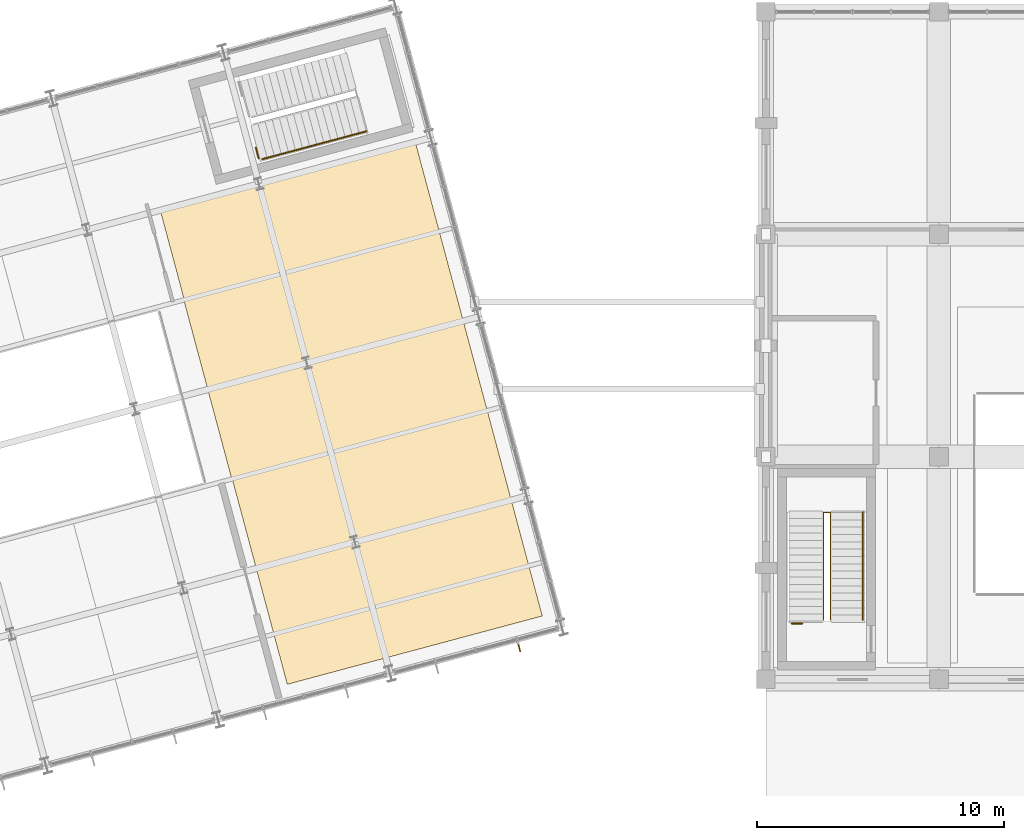
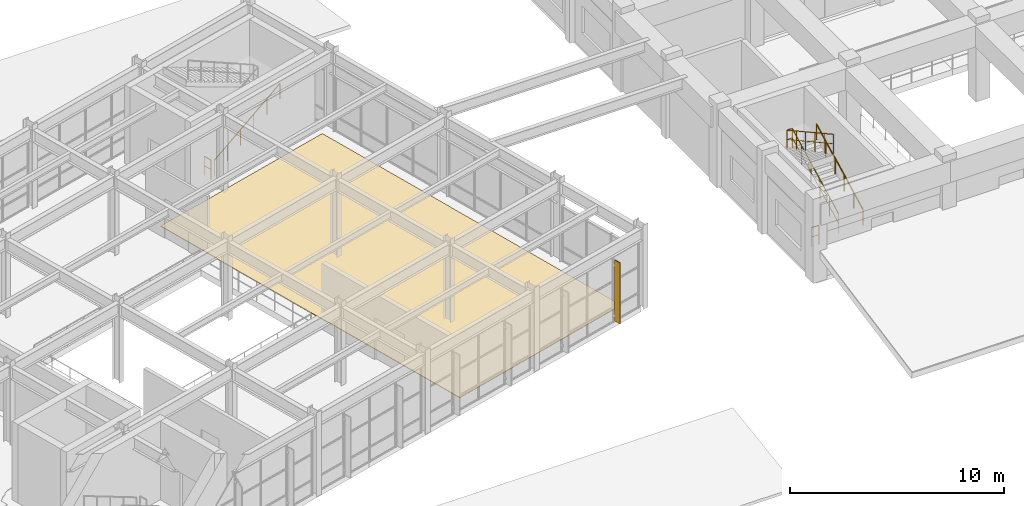
# One storey, part 100 of 104: 5 railings, 1 covering, 1 shading device.
"""IFC4 building model written with IfcOpenShell, lengths in metres."""

import ifcopenshell
import ifcopenshell.guid

model = None  # the IFC model being written
_history = None  # IfcOwnerHistory: only IFC2X3 demands one
_inside = {}  # id of a spatial element -> (the spatial element, [elements in it])
_under = {}  # id of a project, library or spatial element -> (it, [spatial elements below it])
_declared = {}  # id of a project -> (the project, [libraries it declares])
_typed = {}  # id of a type object -> (the type object, [elements of that type])
_made_of = {}  # id of a material, layer set ... -> (it, [elements and type objects made of it])


def new_model(schema):
    """Start an empty IFC model of exactly this schema.

    Asked for "IFC4X3", IfcOpenShell would pick the latest addendum, in which some entities
    have other attributes; the version numbers below select the first issue.
    IFC2X3 requires an IfcOwnerHistory on every rooted entity: one is made here for all.
    """
    global model, _history
    if schema == "IFC4X3":
        model = ifcopenshell.file(schema_version=(4, 3, 0, 0))
    else:
        model = ifcopenshell.file(schema=schema)
    _inside.clear()
    _under.clear()
    _declared.clear()
    _typed.clear()
    _made_of.clear()
    _history = None
    if model.schema == "IFC2X3":
        org = make("IfcOrganization", Name="unknown")
        user = make(
            "IfcPersonAndOrganization",
            ThePerson=make("IfcPerson", FamilyName="unknown"),
            TheOrganization=org,
        )
        app = make(
            "IfcApplication",
            ApplicationDeveloper=org,
            Version="unknown",
            ApplicationFullName="unknown",
            ApplicationIdentifier="unknown",
        )
        _history = make(
            "IfcOwnerHistory",
            OwningUser=user,
            OwningApplication=app,
            ChangeAction="ADDED",
            CreationDate=0,
        )
    return model


def make(cls, **values):
    """One entity of the class cls with the attributes given. An attribute that is None is left unset."""
    return model.create_entity(
        cls, **{name: value for name, value in values.items() if value is not None}
    )


def rooted(cls, **values):
    """An entity with a GlobalId (a new one), such as an element, a storey or a relation."""
    return make(cls, GlobalId=ifcopenshell.guid.new(), OwnerHistory=_history, **values)


def si_unit(unit_type, name, prefix=None):
    """IfcSIUnit, for example si_unit("LENGTHUNIT", "METRE", prefix="MILLI")."""
    return make("IfcSIUnit", UnitType=unit_type, Prefix=prefix, Name=name)


def assignment(units):
    """IfcUnitAssignment: the units of a project."""
    return None if units is None else make("IfcUnitAssignment", Units=units)


def point(xyz):
    """IfcCartesianPoint."""
    return None if xyz is None else make("IfcCartesianPoint", Coordinates=xyz)


def direction(xyz):
    """IfcDirection."""
    return None if xyz is None else make("IfcDirection", DirectionRatios=xyz)


def frame(location, z_axis=None, x_axis=None):
    """IfcAxis2Placement3D, a coordinate frame: its origin and axes. An axis left out is left unset."""
    return make(
        "IfcAxis2Placement3D",
        Location=point(location),
        Axis=direction(z_axis),
        RefDirection=direction(x_axis),
    )


def frame_2d(location, x_axis=None):
    """IfcAxis2Placement2D, a coordinate frame in the plane: its origin and x axis."""
    return make(
        "IfcAxis2Placement2D", Location=point(location), RefDirection=direction(x_axis)
    )


def origin():
    """The frame at (0, 0, 0) with its axes left unset."""
    return frame((0.0, 0.0, 0.0))


def origin_2d():
    """The frame at (0, 0) in the plane with its x axis left unset."""
    return frame_2d((0.0, 0.0))


def place(relative_to, where):
    """IfcLocalPlacement: puts the frame where relative to a parent placement (None: the world)."""
    return make(
        "IfcLocalPlacement", PlacementRelTo=relative_to, RelativePlacement=where
    )


def context(
    kind, dimensions, precision=None, world=None, true_north=None, identifier=None
):
    """IfcGeometricRepresentationContext, for example the 3D "Model" context."""
    return make(
        "IfcGeometricRepresentationContext",
        ContextIdentifier=identifier,
        ContextType=kind,
        CoordinateSpaceDimension=dimensions,
        Precision=precision,
        WorldCoordinateSystem=world,
        TrueNorth=true_north,
    )


def subcontext(parent, identifier, kind, view, scale=None):
    """IfcGeometricRepresentationSubContext, for example "Body" below "Model"."""
    return make(
        "IfcGeometricRepresentationSubContext",
        ContextIdentifier=identifier,
        ContextType=kind,
        ParentContext=parent,
        TargetScale=scale,
        TargetView=view,
    )


def project(units=None, contexts=None):
    """IfcProject with its units and contexts."""
    return rooted(
        "IfcProject",
        Name="project",
        RepresentationContexts=contexts,
        UnitsInContext=assignment(units),
    )


def spatial(cls, under=None, at=None, **own):
    """A site, building, storey or space (cls), placed at a placement, below another one or the project."""
    s = rooted(cls, ObjectPlacement=at, **own)
    if under is not None:
        _under.setdefault(under.id(), (under, []))[1].append(s)
    return s


def polyline(points):
    """IfcPolyline through the points."""
    return make("IfcPolyline", Points=[point(p) for p in points])


def profile(cls, at=None, kind="AREA", **sizes):
    """A parametric profile (cls). Its sizes go by their IFC names, for example OverallWidth=200.0."""
    return make(cls, ProfileType=kind, Position=at, **sizes)


def rectangle(**sizes):
    """IfcRectangleProfileDef."""
    return profile("IfcRectangleProfileDef", **sizes)


def circle(**sizes):
    """IfcCircleProfileDef."""
    return profile("IfcCircleProfileDef", **sizes)


def outline(outer, holes=None, kind="AREA"):
    """IfcArbitraryClosedProfileDef: a profile drawn as a closed curve; with holes, ...WithVoids."""
    if holes is None:
        return make("IfcArbitraryClosedProfileDef", ProfileType=kind, OuterCurve=outer)
    return make(
        "IfcArbitraryProfileDefWithVoids",
        ProfileType=kind,
        OuterCurve=outer,
        InnerCurves=holes,
    )


def extrude(swept, where, along, depth):
    """IfcExtrudedAreaSolid: the profile swept, set in the frame where, extruded along a direction by depth."""
    return make(
        "IfcExtrudedAreaSolid",
        SweptArea=swept,
        Position=where,
        ExtrudedDirection=direction(along),
        Depth=depth,
    )


def shape(context_of_items, identifier, shape_type, items):
    """IfcShapeRepresentation: the items that make up one representation, for example the "Body"."""
    return make(
        "IfcShapeRepresentation",
        ContextOfItems=context_of_items,
        RepresentationIdentifier=identifier,
        RepresentationType=shape_type,
        Items=items,
    )


def material(Name=None, Category=None):
    """IfcMaterial."""
    return make("IfcMaterial", Name=Name, Category=Category)


def layer(
    of_material, thickness, ventilated=None, Name=None, Category=None, Priority=None
):
    """IfcMaterialLayer: one layer of a wall or slab, of a material (None: an air gap)."""
    return make(
        "IfcMaterialLayer",
        Material=of_material,
        LayerThickness=thickness,
        IsVentilated=ventilated,
        Name=Name,
        Category=Category,
        Priority=Priority,
    )


def layer_set(layers, Name=None):
    """IfcMaterialLayerSet."""
    return make("IfcMaterialLayerSet", MaterialLayers=layers, LayerSetName=Name)


def made_of(thing, what):
    """Note that an element or type object is made of a material, layer set ...; save() writes the relation."""
    if what is not None:
        _made_of.setdefault(what.id(), (what, []))[1].append(thing)
    return thing


def type_object(cls, material=None, **own):
    """A type object (cls), such as IfcWallType, which elements share."""
    return made_of(rooted(cls, **own), material)


def element(
    cls,
    number,
    at=None,
    inside=None,
    cuts=None,
    type_object=None,
    material=None,
    context=None,
    identifier="Body",
    shape_type=None,
    held_by="IfcProductDefinitionShape",
    body=None,
    shapes=None,
    **own,
):
    """One element of the class cls, such as IfcWall. Its Tag is "e" and its number.

    at: its placement. inside: the storey or other place that contains it. cuts: it is an
    opening in that element (IfcRelVoidsElement). A single representation is given by context,
    identifier, shape_type and body (its items); several are given by shapes. held_by: the class
    of the entity that holds the representations. save() writes the other relations.
    """
    e = rooted(cls, Tag="e%d" % number, ObjectPlacement=at, **own)
    if body is not None:
        shapes = [shape(context, identifier, shape_type, body)]
    if shapes is not None:
        e.Representation = make(held_by, Representations=shapes)
    if inside is not None:
        _inside.setdefault(inside.id(), (inside, []))[1].append(e)
    if cuts is not None:
        rooted(
            "IfcRelVoidsElement", RelatingBuildingElement=cuts, RelatedOpeningElement=e
        )
    if type_object is not None:
        _typed.setdefault(type_object.id(), (type_object, []))[1].append(e)
    return made_of(e, material)


def aggregate(whole, parts):
    """IfcRelAggregates: a whole, such as a stair, and the parts it consists of."""
    return rooted("IfcRelAggregates", RelatingObject=whole, RelatedObjects=parts)


def save(model, path):
    """Write the relations noted so far, then the file.

    IfcRelAggregates (storeys below a building ...), IfcRelContainedInSpatialStructure (elements
    in a storey), IfcRelDefinesByType, IfcRelAssociatesMaterial and IfcRelDeclares: one each for
    every whole, place, type object, material and project.
    """
    for whole, parts in _under.values():
        aggregate(whole, parts)
    for where, things in _inside.values():
        rooted(
            "IfcRelContainedInSpatialStructure",
            RelatedElements=things,
            RelatingStructure=where,
        )
    for kind, things in _typed.values():
        rooted("IfcRelDefinesByType", RelatedObjects=things, RelatingType=kind)
    for what, things in _made_of.values():
        rooted("IfcRelAssociatesMaterial", RelatedObjects=things, RelatingMaterial=what)
    for by, libraries in _declared.values():
        rooted("IfcRelDeclares", RelatingContext=by, RelatedDefinitions=libraries)
    model.write(path)


model = new_model("IFC4")

# Units and contexts
model_context = context("Model", 3, precision=1e-05, world=origin(), true_north=direction((0.0, 1.0)))
body_context = subcontext(model_context, "Body", "Model", "MODEL_VIEW")
ifc_project = project(units=[si_unit("LENGTHUNIT", "METRE"), si_unit("AREAUNIT", "SQUARE_METRE"), si_unit("VOLUMEUNIT", "CUBIC_METRE"), si_unit("PLANEANGLEUNIT", "RADIAN"), si_unit("MASSUNIT", "GRAM", prefix="KILO")], contexts=[model_context])

# Site, building, storey
site_placement = place(None, origin())
site = spatial("IfcSite", under=ifc_project, at=site_placement, CompositionType="ELEMENT")
building_placement = place(site_placement, origin())
building = spatial("IfcBuilding", under=site, at=building_placement, Name="Ventoquebrada Cableway Terminal", CompositionType="ELEMENT")
storey_placement = place(building_placement, frame((0.0, 0.0, 4.800048828125)))
storey = spatial("IfcBuildingStorey", under=building, at=storey_placement, Name="L01", CompositionType="ELEMENT", Elevation=4.800048828125)

# Covering
ifc_material_1 = material(Name="Honed volcanic basalt stone flooring", Category="masonry")
ifc_layer = layer(ifc_material_1, 0.034912109375)
ifc_layer_set = layer_set([ifc_layer], Name="Honed volcanic basalt stone flooring")
covering_type = type_object("IfcCoveringType", Name="COV-FL01", PredefinedType="FLOORING", material=ifc_layer_set)
covering_placement = place(storey_placement, origin())
element("IfcCovering", 1, at=covering_placement, inside=storey, type_object=covering_type, Name="Honed basalt floor finish FL-10", PredefinedType="FLOORING", context=body_context, shape_type="SweptSolid", body=[
    extrude(outline(polyline([(71.48193359375, 92.31005859375), (71.47509765625, 92.259033203125), (73.3720703125, 85.180908203125), (73.403076171875, 85.138916015625), (75.638916015625, 76.797119140625), (85.955078125, 79.56103515625), (80.8359375, 98.66796875), (72.7919921875, 96.511962890625), (72.739013671875, 96.51708984375), (70.513916015625, 95.922119140625), (71.48193359375, 92.31005859375)])), origin(), (0.0, 0.0, 1.0), 0.034912109375),
])

# Railings
ifc_material_2 = material(Name="Brushed stainless steel Grade 316", Category="steel")
railing_type_1 = type_object("IfcRailingType", Name="RL-GD01", PredefinedType="GUARDRAIL", material=ifc_material_2)
railing_1_placement = place(storey_placement, frame((97.610107421875, 79.39990234375, 0.14990234375)))
element("IfcRailing", 2, at=railing_1_placement, inside=storey, type_object=railing_type_1, Name="Stair well guardrail GR-S35", PredefinedType="GUARDRAIL", context=body_context, shape_type="SweptSolid", body=[
    extrude(circle(Radius=0.02392578125, at=origin_2d()), frame((0.0, 0.001708984375, 1.096923828125), z_axis=(0.0, 0.888221851817, 0.459414782038), x_axis=(-1.0, 0.0, 0.0)), (0.0, 0.0, 1.0), 4.8935546875),
    extrude(circle(Radius=0.01611328125, at=origin_2d()), frame((0.0, 0.001708984375, 0.56103515625), z_axis=(0.0, 0.888221851817, 0.459414782038), x_axis=(-1.0, 0.0, 0.0)), (0.0, 0.0, 1.0), 4.8935546875),
    extrude(circle(Radius=0.02392578125, at=origin_2d()), frame((-0.001953125, 4.35009765625, 3.34619140625), z_axis=(-1.0, 0.0, 0.0), x_axis=(0.0, -1.0, 0.0)), (0.0, 0.0, 1.0), 0.276123046875),
    extrude(circle(Radius=0.01611328125, at=origin_2d()), frame((-0.001953125, 4.35009765625, 2.81005859375), z_axis=(-1.0, 0.0, 0.0), x_axis=(0.0, -1.0, 0.0)), (0.0, 0.0, 1.0), 0.276123046875),
    extrude(circle(Radius=0.02392578125, at=origin_2d()), frame((-0.280029296875, 4.348388671875, 3.346923828125), z_axis=(0.0, -0.875569800069, 0.483091632309), x_axis=(1.0, 0.0, 0.0)), (0.0, 0.0, 1.0), 4.96435546875),
    extrude(circle(Radius=0.01611328125, at=origin_2d()), frame((-0.280029296875, 4.348388671875, 2.81103515625), z_axis=(0.0, -0.875569800069, 0.483091632309), x_axis=(1.0, 0.0, 0.0)), (0.0, 0.0, 1.0), 4.96435546875),
    extrude(circle(Radius=0.02099609375, at=origin_2d()), origin(), (0.0, 0.0, 1.0), 1.072021484375),
    extrude(circle(Radius=0.02099609375, at=origin_2d()), frame((0.0, 0.8701171875, 0.449951171875)), (0.0, 0.0, 1.0), 1.072021484375),
    extrude(circle(Radius=0.02099609375, at=origin_2d()), frame((0.0, 1.739990234375, 0.89990234375)), (0.0, 0.0, 1.0), 1.072021484375),
    extrude(circle(Radius=0.02099609375, at=origin_2d()), frame((0.0, 2.610107421875, 1.35009765625)), (0.0, 0.0, 1.0), 1.072021484375),
    extrude(circle(Radius=0.02099609375, at=origin_2d()), frame((0.0, 3.47998046875, 1.800048828125)), (0.0, 0.0, 1.0), 1.072021484375),
    extrude(circle(Radius=0.02099609375, at=origin_2d()), frame((0.0, 4.35009765625, 2.25)), (0.0, 0.0, 1.0), 1.072021484375),
    extrude(circle(Radius=0.02099609375, at=origin_2d()), frame((-0.280029296875, 4.35009765625, 2.25)), (0.0, 0.0, 1.0), 1.072021484375),
    extrude(circle(Radius=0.02099609375, at=origin_2d()), frame((-0.280029296875, 3.47998046875, 2.72998046875)), (0.0, 0.0, 1.0), 1.072021484375),
    extrude(circle(Radius=0.02099609375, at=origin_2d()), frame((-0.280029296875, 2.610107421875, 3.2099609375)), (0.0, 0.0, 1.0), 1.072021484375),
    extrude(circle(Radius=0.02099609375, at=origin_2d()), frame((-0.280029296875, 1.739990234375, 3.690185546875)), (0.0, 0.0, 1.0), 1.072021484375),
    extrude(circle(Radius=0.02099609375, at=origin_2d()), frame((-0.280029296875, 0.8701171875, 4.170166015625)), (0.0, 0.0, 1.0), 1.072021484375),
    extrude(circle(Radius=0.02099609375, at=origin_2d()), frame((-0.280029296875, 0.0, 4.650146484375)), (0.0, 0.0, 1.0), 1.072021484375),
])
railing_2_placement = place(storey_placement, frame((96.044921875, 79.260009765625, 0.0)))
element("IfcRailing", 3, at=railing_2_placement, inside=storey, type_object=railing_type_1, Name="Open-edge guardrail GR-E072", PredefinedType="GUARDRAIL", context=body_context, shape_type="SweptSolid", body=[
    extrude(circle(Radius=0.02392578125, at=origin_2d()), frame((0.001953125, 0.0, 1.09619140625), z_axis=(1.0, 0.0, 0.0), x_axis=(0.0, 1.0, 0.0)), (0.0, 0.0, 1.0), 0.416259765625),
    extrude(circle(Radius=0.01611328125, at=origin_2d()), frame((0.001953125, 0.0, 0.56005859375), z_axis=(1.0, 0.0, 0.0), x_axis=(0.0, 1.0, 0.0)), (0.0, 0.0, 1.0), 0.416259765625),
    extrude(circle(Radius=0.02099609375, at=origin_2d()), origin(), (0.0, 0.0, 1.0), 1.072021484375),
    extrude(circle(Radius=0.02099609375, at=origin_2d()), frame((0.420166015625, 0.0, 0.0)), (0.0, 0.0, 1.0), 1.072021484375),
])
railing_3_placement = place(storey_placement, frame((74.366943359375, 98.507080078125, 0.0)))
element("IfcRailing", 4, at=railing_3_placement, inside=storey, type_object=railing_type_1, Name="Open-edge guardrail GR-E074", PredefinedType="GUARDRAIL", context=body_context, shape_type="SweptSolid", body=[
    extrude(circle(Radius=0.02392578125, at=origin_2d()), frame((0.00048828125, -0.001953125, 1.09619140625), z_axis=(0.257428493428, -0.966297351115, 0.0), x_axis=(0.966297351115, 0.257428493428, 0.0)), (0.0, 0.0, 1.0), 0.4501953125),
    extrude(circle(Radius=0.01611328125, at=origin_2d()), frame((0.00048828125, -0.001953125, 0.56005859375), z_axis=(0.257428493428, -0.966297351115, 0.0), x_axis=(0.966297351115, 0.257428493428, 0.0)), (0.0, 0.0, 1.0), 0.4501953125),
    extrude(circle(Radius=0.02099609375, at=origin_2d()), origin(), (0.0, 0.0, 1.0), 1.072021484375),
    extrude(circle(Radius=0.02099609375, at=origin_2d()), frame((0.116943359375, -0.43896484375, 0.0)), (0.0, 0.0, 1.0), 1.072021484375),
])
railing_type_2 = type_object("IfcRailingType", Name="RL-HR01", PredefinedType="HANDRAIL", material=ifc_material_2)
railing_4_placement = place(storey_placement, frame((74.636962890625, 98.041015625, 0.14990234375)))
element("IfcRailing", 5, at=railing_4_placement, inside=storey, type_object=railing_type_2, Name="Stair wall handrail HR-S34", PredefinedType="HANDRAIL", context=body_context, shape_type="SweptSolid", body=[
    extrude(circle(Radius=0.02392578125, at=origin_2d()), frame((0.001708984375, 0.00048828125, 0.896728515625), z_axis=(0.857967777365, 0.229894689124, 0.459390601685), x_axis=(-0.258822108155, 0.965925005542, 0.0)), (0.0, 0.0, 1.0), 4.893798828125),
    extrude(circle(Radius=0.02099609375, at=origin_2d()), origin(), (0.0, 0.0, 1.0), 0.871826171875),
    extrude(circle(Radius=0.02099609375, at=origin_2d()), frame((0.84033203125, 0.22509765625, 0.449951171875)), (0.0, 0.0, 1.0), 0.871826171875),
    extrude(circle(Radius=0.02099609375, at=origin_2d()), frame((1.680908203125, 0.450439453125, 0.89990234375)), (0.0, 0.0, 1.0), 0.871826171875),
    extrude(circle(Radius=0.02099609375, at=origin_2d()), frame((2.521240234375, 0.675537109375, 1.35009765625)), (0.0, 0.0, 1.0), 0.871826171875),
    extrude(circle(Radius=0.02099609375, at=origin_2d()), frame((3.36181640625, 0.90087890625, 1.800048828125)), (0.0, 0.0, 1.0), 0.871826171875),
    extrude(circle(Radius=0.02099609375, at=origin_2d()), frame((4.2021484375, 1.1259765625, 2.25)), (0.0, 0.0, 1.0), 0.871826171875),
])
railing_5_placement = place(storey_placement, frame((98.919921875, 79.39990234375, 0.14990234375)))
element("IfcRailing", 6, at=railing_5_placement, inside=storey, type_object=railing_type_2, Name="Stair wall handrail HR-S35", PredefinedType="HANDRAIL", context=body_context, shape_type="SweptSolid", body=[
    extrude(circle(Radius=0.02392578125, at=origin_2d()), frame((0.0, 0.001708984375, 0.896728515625), z_axis=(0.0, 0.888221851817, 0.459414782038), x_axis=(-1.0, 0.0, 0.0)), (0.0, 0.0, 1.0), 4.8935546875),
    extrude(circle(Radius=0.02099609375, at=origin_2d()), origin(), (0.0, 0.0, 1.0), 0.871826171875),
    extrude(circle(Radius=0.02099609375, at=origin_2d()), frame((0.0, 0.8701171875, 0.449951171875)), (0.0, 0.0, 1.0), 0.871826171875),
    extrude(circle(Radius=0.02099609375, at=origin_2d()), frame((0.0, 1.739990234375, 0.89990234375)), (0.0, 0.0, 1.0), 0.871826171875),
    extrude(circle(Radius=0.02099609375, at=origin_2d()), frame((0.0, 2.610107421875, 1.35009765625)), (0.0, 0.0, 1.0), 0.871826171875),
    extrude(circle(Radius=0.02099609375, at=origin_2d()), frame((0.0, 3.47998046875, 1.800048828125)), (0.0, 0.0, 1.0), 0.871826171875),
    extrude(circle(Radius=0.02099609375, at=origin_2d()), frame((0.0, 4.35009765625, 2.25)), (0.0, 0.0, 1.0), 0.871826171875),
])

# Shading device
ifc_material_3 = material(Name="Anodized thermally-broken aluminium", Category="aluminium")
shading_device_type = type_object("IfcShadingDeviceType", Name="SHD-AW1", PredefinedType="AWNING", material=ifc_material_3)
shading_device_placement = place(storey_placement, frame((85.01904296875, 78.285888671875, 0.14990234375), z_axis=(0.0, 0.0, 1.0), x_axis=(0.965925826289, 0.258819045103, 0.0)))
element("IfcShadingDevice", 7, at=shading_device_placement, inside=storey, type_object=shading_device_type, Name="Extruded aluminium sunshade fin FN-071", PredefinedType="AWNING", context=body_context, shape_type="SweptSolid", body=[
    extrude(rectangle(XDim=0.044921875, YDim=0.360107421875, at=origin_2d()), origin(), (0.0, 0.0, 1.0), 3.48193359375),
])

save(model, "model.ifc")
